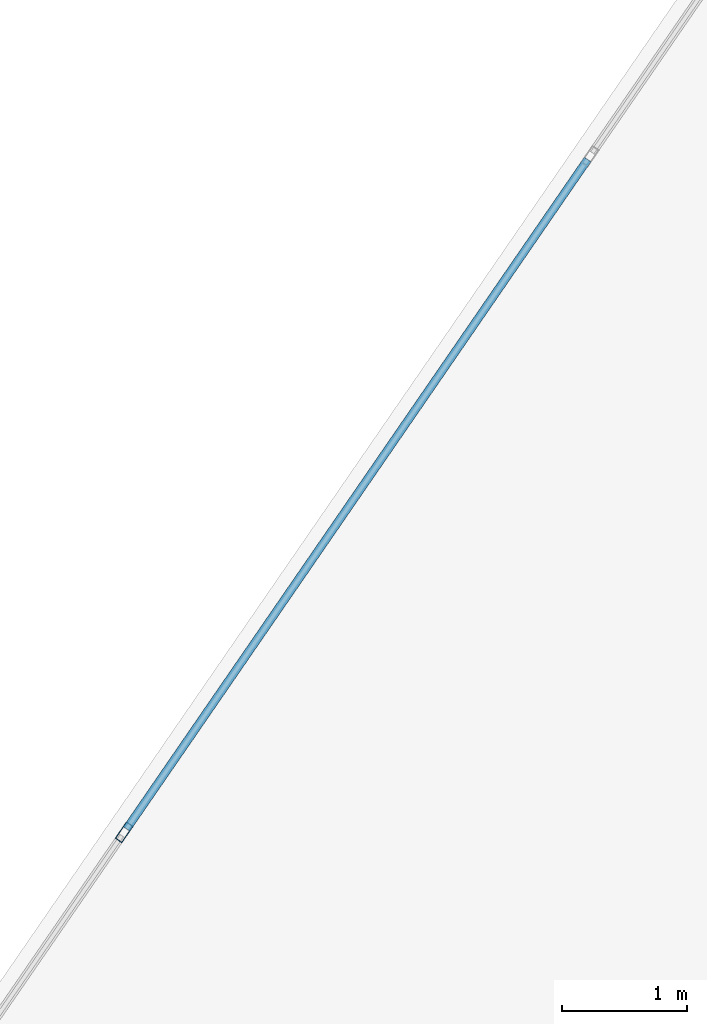
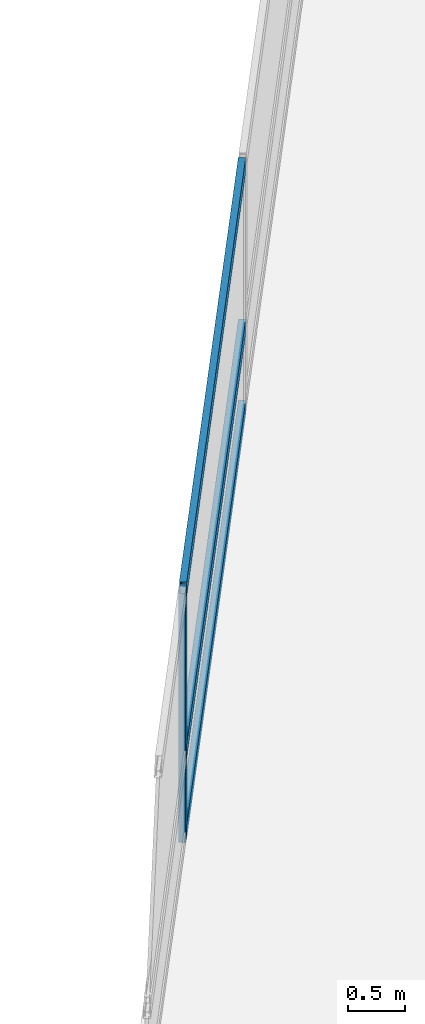
# One storey, part 13 of 24: 4 members, 1 element without a shape of its own.
"""IFC4 building model written with IfcOpenShell, lengths in metres."""

from ifc_helpers import new_model, si_unit, direction, frame, origin, origin_2d, place, context, subcontext, project, spatial, hollow_rectangle, extrude, material, layer, layer_set, material_profile, profile_set, type_object, element, aggregate, save


model = new_model("IFC4")

# Units and contexts
model_context = context("Model", 3, precision=1e-05, world=origin(), true_north=direction((0.0, 1.0)))
body_context = subcontext(model_context, "Body", "Model", "MODEL_VIEW")
ifc_project = project(units=[si_unit("LENGTHUNIT", "METRE"), si_unit("AREAUNIT", "SQUARE_METRE"), si_unit("VOLUMEUNIT", "CUBIC_METRE"), si_unit("PLANEANGLEUNIT", "RADIAN"), si_unit("MASSUNIT", "GRAM", prefix="KILO")], contexts=[model_context])

# Site, building, storey
site_placement = place(None, origin())
site = spatial("IfcSite", under=ifc_project, at=site_placement, CompositionType="ELEMENT")
building_placement = place(site_placement, origin())
building = spatial("IfcBuilding", under=site, at=building_placement, Name="Varnelok Gate Tower", CompositionType="ELEMENT")
storey_placement = place(building_placement, frame((0.0, 0.0, 67.699951171875)))
storey = spatial("IfcBuildingStorey", under=building, at=storey_placement, Name="L16", CompositionType="ELEMENT", Elevation=67.699951171875)

# Curtain wall, members
ifc_material = material(Name="Anodized Aluminum Alloy 6063-T6", Category="aluminium")
ifc_layer = layer(ifc_material, 0.179931640625)
ifc_layer_set = layer_set([ifc_layer], Name="Anodized Aluminum Alloy 6063-T6")
curtain_wall_type = type_object("IfcCurtainWallType", Name="CW3-HOTEL-VISION", PredefinedType="USERDEFINED", material=ifc_layer_set)
curtain_wall_placement = place(storey_placement, origin())
curtain_wall = element("IfcCurtainWall", 1, at=curtain_wall_placement, inside=storey, type_object=curtain_wall_type, Name="L16 West End Vision Curtain Wall", ObjectType="UNITISED CURTAIN WALL", PredefinedType="USERDEFINED")
ifc_material_profile_1 = material_profile(ifc_material, hollow_rectangle(XDim=0.06494140625, YDim=0.159912109375, WallThickness=0.00390625, at=origin_2d()), Name="ALU160X65X4")
ifc_profile_set_1 = profile_set([ifc_material_profile_1], Name="Anodized Aluminum Alloy 6063-T6")
member_type_1 = type_object("IfcMemberType", Name="CW-MULL-160", PredefinedType="MULLION", material=ifc_profile_set_1)
member_1_placement = place(storey_placement, frame((10.7578125, 52.865478515625, 0.0), z_axis=(0.0, 0.0, 1.0), x_axis=(-0.823532685111, 0.567268822124, 0.0)))
member_1 = element("IfcMember", 2, at=member_1_placement, type_object=member_type_1, Name="CW3 mullion 5", PredefinedType="MULLION", context=body_context, shape_type="SweptSolid", body=[
    extrude(hollow_rectangle(XDim=0.06494140625, YDim=0.159912109375, WallThickness=0.00390625, at=origin_2d()), origin(), (0.0, 0.0, 1.0), 2.66015625),
])
ifc_material_profile_2 = material_profile(ifc_material, hollow_rectangle(XDim=0.06494140625, YDim=0.159912109375, WallThickness=0.00390625, at=origin_2d()), Name="ALU160X65X4")
ifc_profile_set_2 = profile_set([ifc_material_profile_2], Name="Anodized Aluminum Alloy 6063-T6")
member_type_2 = type_object("IfcMemberType", Name="CW-TRAN-160", PredefinedType="USERDEFINED", material=ifc_profile_set_2)
member_2_placement = place(storey_placement, frame((10.7763671875, 52.89208984375, 0.032470703125), z_axis=(0.567261662339, 0.823537616894, 0.0), x_axis=(-0.823537616894, 0.567261662339, 0.0)))
member_2 = element("IfcMember", 3, at=member_2_placement, type_object=member_type_2, Name="CW3 transom 5.1", ObjectType="TRANSOM", PredefinedType="USERDEFINED", context=body_context, shape_type="SweptSolid", body=[
    extrude(hollow_rectangle(XDim=0.06494140625, YDim=0.159912109375, WallThickness=0.00390625, at=origin_2d()), origin(), (0.0, 0.0, 1.0), 6.501708984375),
])
member_3_placement = place(storey_placement, frame((10.7763671875, 52.89208984375, 0.900146484375), z_axis=(0.567261662339, 0.823537616894, 0.0), x_axis=(-0.823537616894, 0.567261662339, 0.0)))
member_3 = element("IfcMember", 4, at=member_3_placement, type_object=member_type_2, Name="CW3 transom 5.2", ObjectType="TRANSOM", PredefinedType="USERDEFINED", context=body_context, shape_type="SweptSolid", body=[
    extrude(hollow_rectangle(XDim=0.06494140625, YDim=0.159912109375, WallThickness=0.00390625, at=origin_2d()), origin(), (0.0, 0.0, 1.0), 6.501708984375),
])
member_4_placement = place(storey_placement, frame((10.7763671875, 52.89208984375, 2.62744140625), z_axis=(0.567261662339, 0.823537616894, 0.0), x_axis=(-0.823537616894, 0.567261662339, 0.0)))
member_4 = element("IfcMember", 5, at=member_4_placement, type_object=member_type_2, Name="CW3 transom 5.3", ObjectType="TRANSOM", PredefinedType="USERDEFINED", context=body_context, shape_type="SweptSolid", body=[
    extrude(hollow_rectangle(XDim=0.06494140625, YDim=0.159912109375, WallThickness=0.00390625, at=origin_2d()), origin(), (0.0, 0.0, 1.0), 6.501708984375),
])
aggregate(curtain_wall, [member_1, member_2, member_3, member_4])

save(model, "model.ifc")
